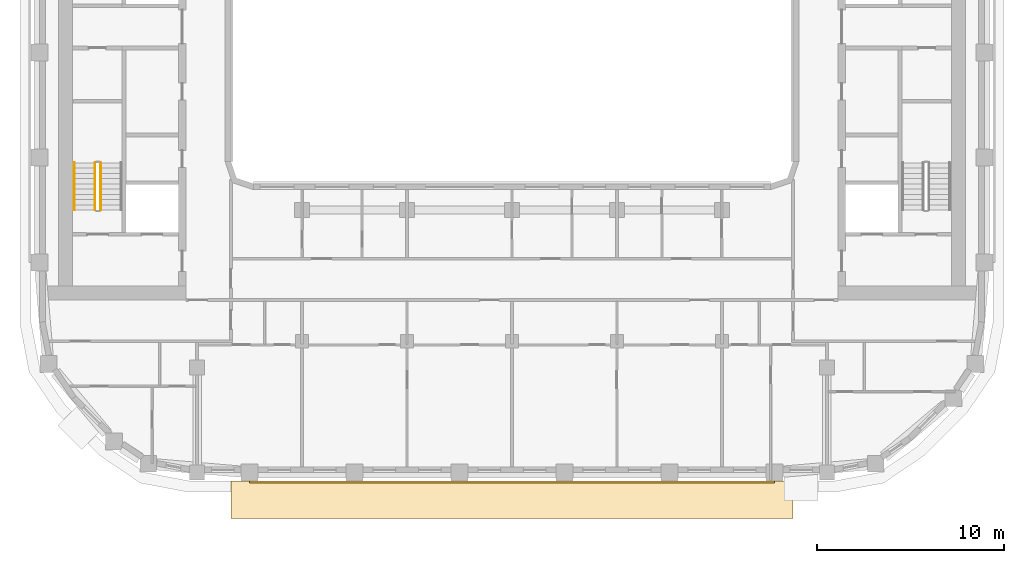
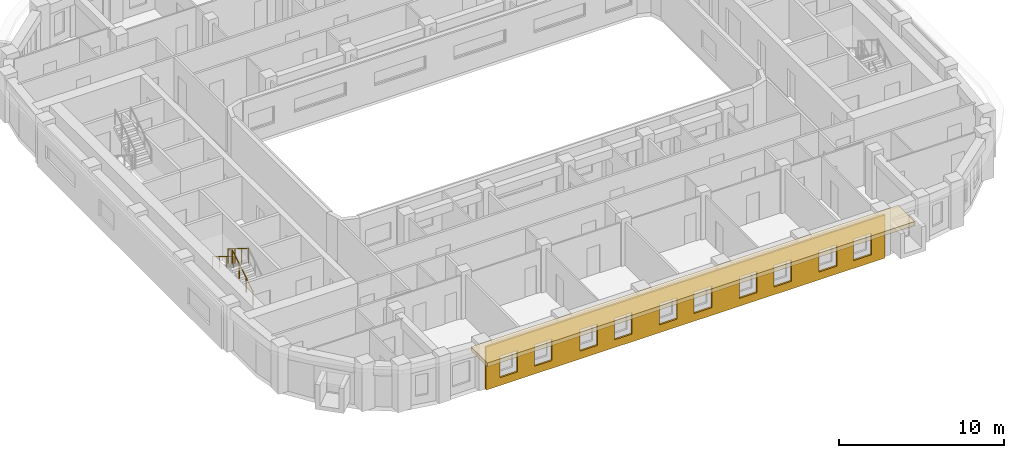
# One storey, part 11 of 21: 3 railings, 2 coverings.
"""IFC4 building model written with IfcOpenShell, lengths in metres."""

from ifc_helpers import new_model, si_unit, direction, frame, origin, origin_2d, place, context, subcontext, project, spatial, polyline, circle, outline, extrude, material, layer, layer_set, type_object, element, save


model = new_model("IFC4")

# Units and contexts
model_context = context("Model", 3, precision=1e-05, world=origin(), true_north=direction((0.0, 1.0)))
body_context = subcontext(model_context, "Body", "Model", "MODEL_VIEW")
ifc_project = project(units=[si_unit("LENGTHUNIT", "METRE"), si_unit("AREAUNIT", "SQUARE_METRE"), si_unit("VOLUMEUNIT", "CUBIC_METRE"), si_unit("PLANEANGLEUNIT", "RADIAN"), si_unit("MASSUNIT", "GRAM", prefix="KILO")], contexts=[model_context])

# Site, building, storey
site_placement = place(None, origin())
site = spatial("IfcSite", under=ifc_project, at=site_placement, CompositionType="ELEMENT")
building_placement = place(site_placement, origin())
building = spatial("IfcBuilding", under=site, at=building_placement, Name="Kiln Ring Residences", CompositionType="ELEMENT")
storey_placement = place(building_placement, frame((0.0, 0.0, 192.39990234375)))
storey = spatial("IfcBuildingStorey", under=building, at=storey_placement, Name="L49", CompositionType="ELEMENT", Elevation=192.39990234375)

# Railings
ifc_material_1 = material(Name="Stainless steel", Category="steel")
railing_type_1 = type_object("IfcRailingType", Name="CORE-STAIR-GUARD", PredefinedType="GUARDRAIL", material=ifc_material_1)
railing_1_placement = place(storey_placement, frame((-21.949951171875, -8.39990234375, 0.175048828125)))
element("IfcRailing", 1, at=railing_1_placement, inside=storey, type_object=railing_type_1, Name="L49 W-STS stair guard 1", PredefinedType="GUARDRAIL", context=body_context, shape_type="SweptSolid", body=[
    extrude(circle(Radius=0.02392578125, at=origin_2d()), frame((0.0, 0.0, 1.076171875), z_axis=(0.0, 0.848007534815, 0.529984170421), x_axis=(-1.0, 0.0, 0.0)), (0.0, 0.0, 1.0), 2.9716796875),
    extrude(circle(Radius=0.02099609375, at=origin_2d()), origin(), (0.0, 0.0, 1.0), 1.052001953125),
    extrude(circle(Radius=0.02099609375, at=origin_2d()), frame((0.0, 0.840087890625, 0.52490234375)), (0.0, 0.0, 1.0), 1.052001953125),
    extrude(circle(Radius=0.02099609375, at=origin_2d()), frame((0.0, 1.679931640625, 1.050048828125)), (0.0, 0.0, 1.0), 1.052001953125),
    extrude(circle(Radius=0.02099609375, at=origin_2d()), frame((0.0, 2.52001953125, 1.574951171875)), (0.0, 0.0, 1.0), 1.052001953125),
])
railing_2_placement = place(storey_placement, frame((-22.25, -5.8798828125, 1.925048828125)))
element("IfcRailing", 2, at=railing_2_placement, inside=storey, type_object=railing_type_1, Name="L49 W-STS stair guard 3", PredefinedType="GUARDRAIL", context=body_context, shape_type="SweptSolid", body=[
    extrude(circle(Radius=0.02392578125, at=origin_2d()), frame((0.0, 0.0, 1.076171875), z_axis=(0.0, -0.848007534815, 0.529984170421), x_axis=(1.0, 0.0, 0.0)), (0.0, 0.0, 1.0), 2.9716796875),
    extrude(circle(Radius=0.02099609375, at=origin_2d()), origin(), (0.0, 0.0, 1.0), 1.052001953125),
    extrude(circle(Radius=0.02099609375, at=origin_2d()), frame((0.0, -0.840087890625, 0.52490234375)), (0.0, 0.0, 1.0), 1.052001953125),
    extrude(circle(Radius=0.02099609375, at=origin_2d()), frame((0.0, -1.679931640625, 1.050048828125)), (0.0, 0.0, 1.0), 1.052001953125),
    extrude(circle(Radius=0.02099609375, at=origin_2d()), frame((0.0, -2.52001953125, 1.574951171875)), (0.0, 0.0, 1.0), 1.052001953125),
])
ifc_material_2 = material(Name="Stainless steel", Category="steel")
railing_type_2 = type_object("IfcRailingType", Name="CORE-STAIR-HANDRAIL", PredefinedType="HANDRAIL", material=ifc_material_2)
railing_3_placement = place(storey_placement, frame((-23.35009765625, -5.8798828125, 1.925048828125)))
element("IfcRailing", 3, at=railing_3_placement, inside=storey, type_object=railing_type_2, Name="L49 W-STS stair handrail 2", PredefinedType="HANDRAIL", context=body_context, shape_type="SweptSolid", body=[
    extrude(circle(Radius=0.02392578125, at=origin_2d()), frame((0.0, 0.0, 0.8759765625), z_axis=(0.0, -0.848007534815, 0.529984170421), x_axis=(1.0, 0.0, 0.0)), (0.0, 0.0, 1.0), 2.9716796875),
    extrude(circle(Radius=0.02099609375, at=origin_2d()), origin(), (0.0, 0.0, 1.0), 0.851806640625),
    extrude(circle(Radius=0.02099609375, at=origin_2d()), frame((0.0, -0.840087890625, 0.52490234375)), (0.0, 0.0, 1.0), 0.851806640625),
    extrude(circle(Radius=0.02099609375, at=origin_2d()), frame((0.0, -1.679931640625, 1.050048828125)), (0.0, 0.0, 1.0), 0.851806640625),
    extrude(circle(Radius=0.02099609375, at=origin_2d()), frame((0.0, -2.52001953125, 1.574951171875)), (0.0, 0.0, 1.0), 0.851806640625),
])

# Coverings
ifc_material_3 = material(Name="Brick masonry, dark clay brick", Category="masonry")
ifc_layer_1 = layer(ifc_material_3, 0.1201171875)
ifc_layer_set_1 = layer_set([ifc_layer_1], Name="RAINSCREEN PANEL 120")
covering_type_1 = type_object("IfcCoveringType", Name="RAINSCREEN PANEL 120", PredefinedType="CLADDING", material=ifc_layer_set_1)
covering_1_placement = place(storey_placement, frame((-14.0, -22.909912109375, 0.0), z_axis=(0.0, 0.0, 1.0), x_axis=(1.0, 0.0, 0.0)))
element("IfcCovering", 4, at=covering_1_placement, inside=storey, type_object=covering_type_1, Name="RAINSCREEN L49", PredefinedType="CLADDING", context=body_context, shape_type="SweptSolid", body=[
    extrude(outline(polyline([(0.0, 0.0), (28.0, 0.0), (28.0, 3.2001953125), (0.0, 3.2001953125), (0.0, 0.0)]), holes=[polyline([(0.967529296875, 0.580078125), (2.20751953125, 0.580078125), (2.20751953125, 2.170166015625), (0.967529296875, 2.170166015625), (0.967529296875, 0.580078125)]), polyline([(3.392578125, 0.580078125), (4.632568359375, 0.580078125), (4.632568359375, 2.170166015625), (3.392578125, 2.170166015625), (3.392578125, 0.580078125)]), polyline([(6.5673828125, 0.580078125), (7.8076171875, 0.580078125), (7.8076171875, 2.170166015625), (6.5673828125, 2.170166015625), (6.5673828125, 0.580078125)]), polyline([(8.992431640625, 2.170166015625), (8.992431640625, 0.580078125), (10.232421875, 0.580078125), (10.232421875, 2.170166015625), (8.992431640625, 2.170166015625)]), polyline([(12.16748046875, 2.170166015625), (12.16748046875, 0.580078125), (13.407470703125, 0.580078125), (13.407470703125, 2.170166015625), (12.16748046875, 2.170166015625)]), polyline([(14.592529296875, 0.580078125), (15.83251953125, 0.580078125), (15.83251953125, 2.170166015625), (14.592529296875, 2.170166015625), (14.592529296875, 0.580078125)]), polyline([(17.767578125, 0.580078125), (19.007568359375, 0.580078125), (19.007568359375, 2.170166015625), (17.767578125, 2.170166015625), (17.767578125, 0.580078125)]), polyline([(20.1923828125, 0.580078125), (21.4326171875, 0.580078125), (21.4326171875, 2.170166015625), (20.1923828125, 2.170166015625), (20.1923828125, 0.580078125)]), polyline([(23.367431640625, 2.170166015625), (23.367431640625, 0.580078125), (24.607421875, 0.580078125), (24.607421875, 2.170166015625), (23.367431640625, 2.170166015625)]), polyline([(25.79248046875, 2.170166015625), (25.79248046875, 0.580078125), (27.032470703125, 0.580078125), (27.032470703125, 2.170166015625), (25.79248046875, 2.170166015625)])]), frame((0.0, 0.06005859375, 0.0), z_axis=(0.0, -1.0, 0.0), x_axis=(1.0, 0.0, 0.0)), (0.0, 0.0, 1.0), 0.1201171875),
])
ifc_material_4 = material(Name="Black powder-coated steel", Category="steel")
ifc_layer_2 = layer(ifc_material_4, 0.300048828125)
ifc_layer_set_2 = layer_set([ifc_layer_2], Name="SUNSHADE BAND 2000")
covering_type_2 = type_object("IfcCoveringType", Name="SUNSHADE BAND 2000", PredefinedType="CLADDING", material=ifc_layer_set_2)
covering_2_placement = place(storey_placement, frame((0.0, 0.0, 3.2001953125)))
element("IfcCovering", 5, at=covering_2_placement, inside=storey, type_object=covering_type_2, Name="SUNSHADE BAND L49", PredefinedType="CLADDING", context=body_context, shape_type="SweptSolid", body=[
    extrude(outline(polyline([(-15.0, -24.85009765625), (15.0, -24.85009765625), (15.0, -22.85009765625), (-15.0, -22.85009765625), (-15.0, -24.85009765625)])), origin(), (0.0, 0.0, 1.0), 0.2998046875),
])

save(model, "model.ifc")
